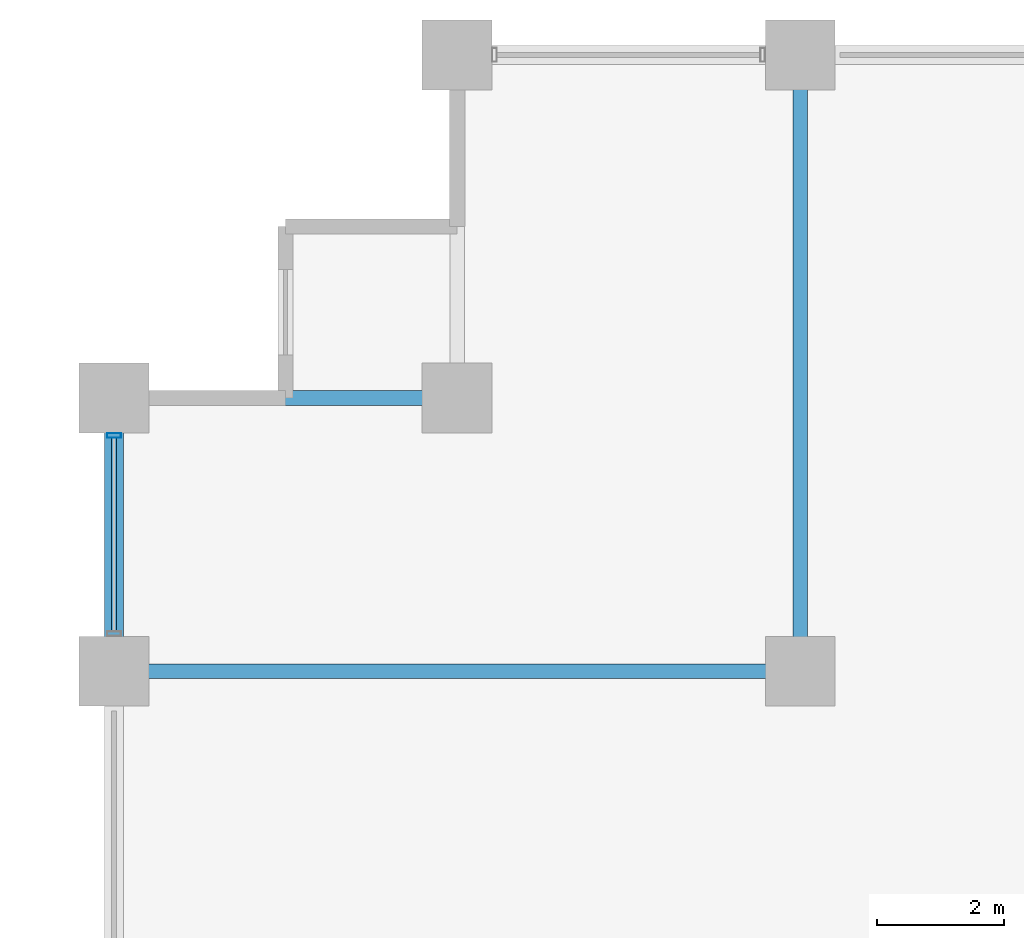
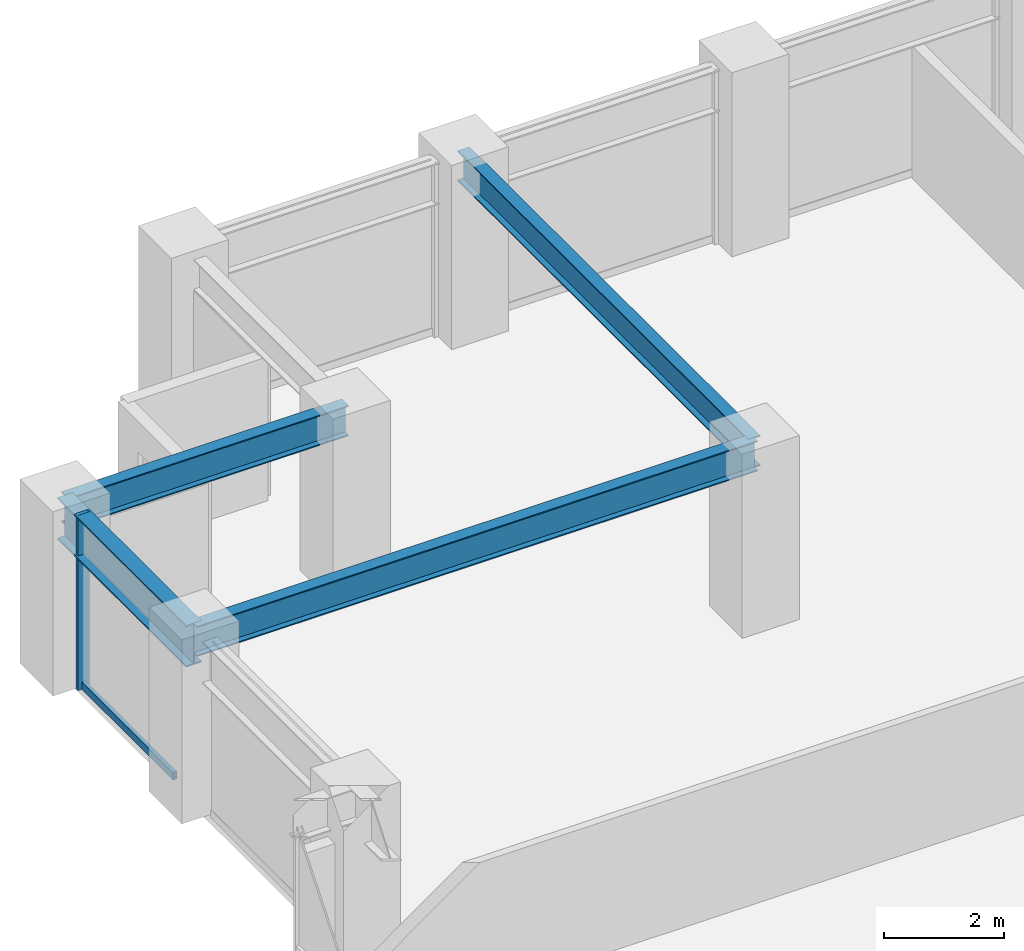
# One storey, part 11 of 25: 4 beams, 2 members, 1 element without a shape of its own.
"""IFC4 building model written with IfcOpenShell, lengths in metres."""

from ifc_helpers import new_model, si_unit, direction, frame, origin, origin_2d, place, context, subcontext, project, spatial, hollow_rectangle, i_section, extrude, material, layer, layer_set, material_profile, profile_set, type_object, element, aggregate, save


model = new_model("IFC4")

# Units and contexts
model_context = context("Model", 3, precision=1e-05, world=origin(), true_north=direction((0.0, 1.0)))
body_context = subcontext(model_context, "Body", "Model", "MODEL_VIEW")
ifc_project = project(units=[si_unit("LENGTHUNIT", "METRE"), si_unit("AREAUNIT", "SQUARE_METRE"), si_unit("VOLUMEUNIT", "CUBIC_METRE"), si_unit("PLANEANGLEUNIT", "RADIAN"), si_unit("MASSUNIT", "GRAM", prefix="KILO")], contexts=[model_context])

# Site, building, storey
site_placement = place(None, origin())
site = spatial("IfcSite", under=ifc_project, at=site_placement, CompositionType="ELEMENT")
building_placement = place(site_placement, origin())
building = spatial("IfcBuilding", under=site, at=building_placement, Name="Surkhivell Harbour Commons", CompositionType="ELEMENT")
storey_placement = place(building_placement, frame((0.0, 0.0, 98.25)))
storey = spatial("IfcBuildingStorey", under=building, at=storey_placement, Name="L25", CompositionType="ELEMENT", Elevation=98.25)

# Beams
ifc_material_1 = material(Name="Steel S355", Category="steel")
ifc_material_profile_1 = material_profile(ifc_material_1, i_section(OverallWidth=0.22998046875, OverallDepth=0.616943359375, WebThickness=0.01318359375, FlangeThickness=0.022216796875, at=origin_2d()), Name="UB610x229x140")
ifc_profile_set_1 = profile_set([ifc_material_profile_1], Name="Steel S355")
beam_type_1 = type_object("IfcBeamType", Name="BM-GRD-610B", PredefinedType="BEAM", material=ifc_profile_set_1)
beam_1_placement = place(storey_placement, frame((-32.39990234375, 16.199951171875, 3.261474609375), z_axis=(1.0, 0.0, 0.0), x_axis=(0.0, 1.0, 0.0)))
element("IfcBeam", 1, at=beam_1_placement, inside=storey, type_object=beam_type_1, Name="L25 Floor Girder (-32.4,16.2)", PredefinedType="BEAM", context=body_context, shape_type="SweptSolid", body=[
    extrude(i_section(OverallWidth=0.22998046875, OverallDepth=0.616943359375, WebThickness=0.01318359375, FlangeThickness=0.022216796875, at=origin_2d()), origin(), (0.0, 0.0, 1.0), 10.7998046875),
])
beam_2_placement = place(storey_placement, frame((-32.39990234375, 20.5, 3.261474609375), z_axis=(1.0, 0.0, 0.0), x_axis=(0.0, 1.0, 0.0)))
element("IfcBeam", 2, at=beam_2_placement, inside=storey, type_object=beam_type_1, Name="L25 Floor Girder (-32.4,20.5)", PredefinedType="BEAM", context=body_context, shape_type="SweptSolid", body=[
    extrude(i_section(OverallWidth=0.22998046875, OverallDepth=0.616943359375, WebThickness=0.01318359375, FlangeThickness=0.022216796875, at=origin_2d()), origin(), (0.0, 0.0, 1.0), 5.39990234375),
])
beam_3_placement = place(storey_placement, frame((-21.60009765625, 16.199951171875, 3.261474609375), z_axis=(0.0, 1.0, 0.0), x_axis=(-1.0, 0.0, 0.0)))
element("IfcBeam", 3, at=beam_3_placement, inside=storey, type_object=beam_type_1, Name="L25 Floor Girder (-21.6,16.2)", PredefinedType="BEAM", context=body_context, shape_type="SweptSolid", body=[
    extrude(i_section(OverallWidth=0.22998046875, OverallDepth=0.616943359375, WebThickness=0.01318359375, FlangeThickness=0.022216796875, at=origin_2d()), origin(), (0.0, 0.0, 1.0), 9.699951171875),
])
ifc_material_2 = material(Name="Steel S460", Category="steel")
ifc_material_profile_2 = material_profile(ifc_material_2, i_section(OverallWidth=0.2939453125, OverallDepth=0.85107421875, WebThickness=0.01611328125, FlangeThickness=0.02685546875, at=origin_2d()), Name="UB838x292x226")
ifc_profile_set_2 = profile_set([ifc_material_profile_2], Name="Steel S460")
beam_type_2 = type_object("IfcBeamType", Name="BM-SPN-838", PredefinedType="SPANDREL", material=ifc_profile_set_2)
beam_4_placement = place(storey_placement, frame((-32.39990234375, 16.199951171875, 3.14453125), z_axis=(0.0, 1.0, 0.0), x_axis=(-1.0, 0.0, 0.0)))
element("IfcBeam", 4, at=beam_4_placement, inside=storey, type_object=beam_type_2, Name="L25 Tube Spandrel (-32.4,16.2)", PredefinedType="SPANDREL", context=body_context, shape_type="SweptSolid", body=[
    extrude(i_section(OverallWidth=0.2939453125, OverallDepth=0.85107421875, WebThickness=0.01611328125, FlangeThickness=0.02685546875, at=origin_2d()), origin(), (0.0, 0.0, 1.0), 4.300048828125),
])

# Curtain wall, members
ifc_material_3 = material(Name="Anodised pale-metal aluminium and insulated glazing", Category="aluminium")
ifc_layer = layer(ifc_material_3, 0.205078125)
ifc_layer_set = layer_set([ifc_layer], Name="Anodised pale-metal aluminium and insulated glazing")
curtain_wall_type = type_object("IfcCurtainWallType", Name="CW-SYS-Z2", PredefinedType="NOTDEFINED", material=ifc_layer_set)
curtain_wall_placement = place(storey_placement, origin())
curtain_wall = element("IfcCurtainWall", 5, at=curtain_wall_placement, inside=storey, type_object=curtain_wall_type, Name="L25 Curtain Wall CW-L25-E12R2", PredefinedType="NOTDEFINED")
ifc_material_4 = material(Name="Anodised pale-metal aluminium alloy 6063-T6", Category="aluminium")
ifc_material_profile_3 = material_profile(ifc_material_4, hollow_rectangle(XDim=0.074951171875, YDim=0.219970703125, WallThickness=0.00390625, at=origin_2d()), Name="ALU-MULL-75x220")
ifc_profile_set_3 = profile_set([ifc_material_profile_3], Name="Anodised pale-metal aluminium alloy 6063-T6")
member_type_1 = type_object("IfcMemberType", Name="CWM-220", PredefinedType="MULLION", material=ifc_profile_set_3)
member_1_placement = place(storey_placement, frame((-32.39990234375, 19.910400390625, 0.0), z_axis=(0.0, 0.0, 1.0), x_axis=(0.0, 1.0, 0.0)))
member_1 = element("IfcMember", 6, at=member_1_placement, type_object=member_type_1, Name="CW-Z2 mullion 3", PredefinedType="MULLION", context=body_context, shape_type="SweptSolid", body=[
    extrude(hollow_rectangle(XDim=0.074951171875, YDim=0.219970703125, WallThickness=0.00390625, at=origin_2d()), origin(), (0.0, 0.0, 1.0), 3.570068359375),
])
ifc_material_profile_4 = material_profile(ifc_material_4, hollow_rectangle(XDim=0.074951171875, YDim=0.14990234375, WallThickness=0.00341796875, at=origin_2d()), Name="ALU-TRAN-75x150")
ifc_profile_set_4 = profile_set([ifc_material_profile_4], Name="Anodised pale-metal aluminium alloy 6063-T6")
member_type_2 = type_object("IfcMemberType", Name="CWT-150", PredefinedType="USERDEFINED", material=ifc_profile_set_4)
member_2_placement = place(storey_placement, frame((-32.39990234375, 16.826904296875, 0.074951171875), z_axis=(0.0, 1.0, 0.0), x_axis=(-1.0, 0.0, 0.0)))
member_2 = element("IfcMember", 7, at=member_2_placement, type_object=member_type_2, Name="CW-Z2 transom 2.1", ObjectType="TRANSOM", PredefinedType="USERDEFINED", context=body_context, shape_type="SweptSolid", body=[
    extrude(hollow_rectangle(XDim=0.074951171875, YDim=0.14990234375, WallThickness=0.00341796875, at=origin_2d()), origin(), (0.0, 0.0, 1.0), 3.046142578125),
])
aggregate(curtain_wall, [member_1, member_2])

save(model, "model.ifc")
